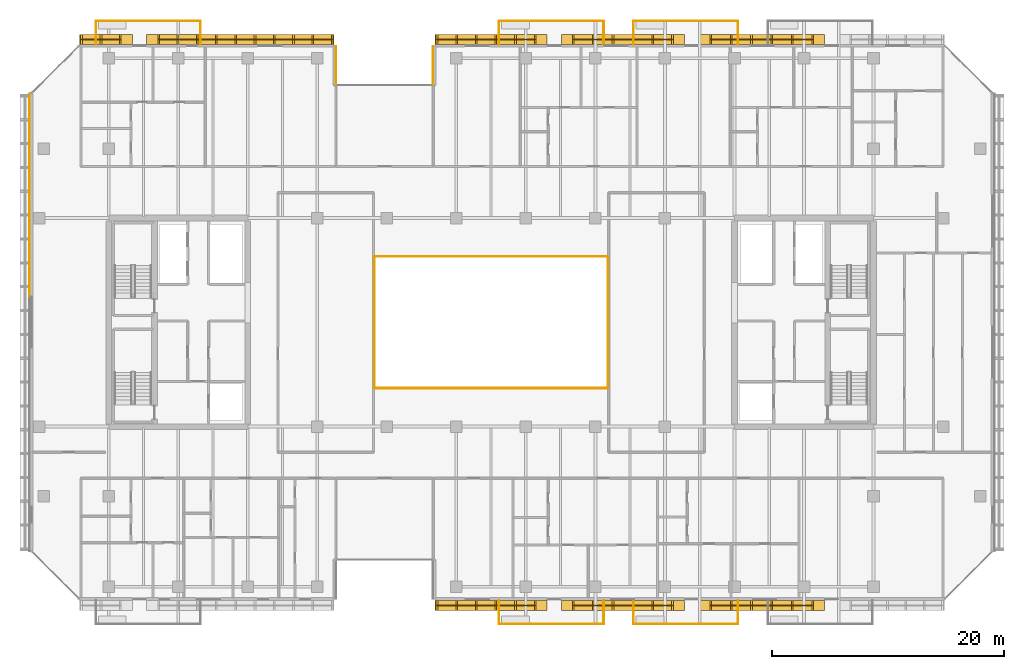
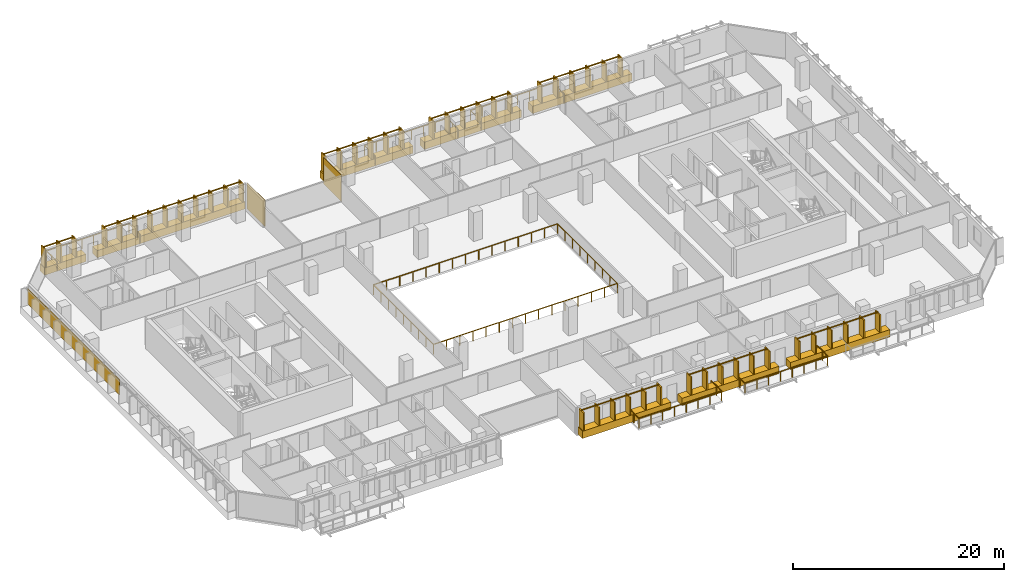
# One storey, part 33 of 35: 15 railings, 11 coverings.
"""IFC4 building model written with IfcOpenShell, lengths in metres."""

from ifc_helpers import new_model, si_unit, direction, frame, origin, origin_2d, place, context, subcontext, project, spatial, rectangle, extrude, material, layer, layer_set, type_object, element, save


model = new_model("IFC4")

# Units and contexts
model_context = context("Model", 3, precision=1e-05, world=origin(), true_north=direction((0.0, 1.0)))
body_context = subcontext(model_context, "Body", "Model", "MODEL_VIEW")
ifc_project = project(units=[si_unit("LENGTHUNIT", "METRE"), si_unit("AREAUNIT", "SQUARE_METRE"), si_unit("VOLUMEUNIT", "CUBIC_METRE"), si_unit("PLANEANGLEUNIT", "RADIAN"), si_unit("MASSUNIT", "GRAM", prefix="KILO")], contexts=[model_context])

# Site, building, storey
site_placement = place(None, origin())
site = spatial("IfcSite", under=ifc_project, at=site_placement, CompositionType="ELEMENT")
building_placement = place(site_placement, origin())
building = spatial("IfcBuilding", under=site, at=building_placement, Name="Tanjung Sevakor Pilgrim Tower", CompositionType="ELEMENT")
storey_placement = place(building_placement, frame((0.0, 0.0, 92.070068359375)))
storey = spatial("IfcBuildingStorey", under=building, at=storey_placement, Name="L25", CompositionType="ELEMENT", Elevation=92.070068359375)

# Coverings
ifc_material_1 = material(Name="Reconstructed Limestone Cladding", Category="masonry")
ifc_layer = layer(ifc_material_1, 0.044921875)
ifc_layer_set = layer_set([ifc_layer], Name="COV-CLAD-LIMESTONE")
covering_type = type_object("IfcCoveringType", Name="COV-CLAD-LIMESTONE", PredefinedType="CLADDING", material=ifc_layer_set)
covering_1_placement = place(storey_placement, frame((57.00244140625, 9.169921875, 0.009765625), z_axis=(0.0, 0.0, 1.0), x_axis=(1.0, 0.0, 0.0)))
element("IfcCovering", 1, at=covering_1_placement, inside=storey, type_object=covering_type, Name="L25 Warm Limestone Sill Spandrel EW-L25-MAIN-5-1", PredefinedType="CLADDING", context=body_context, shape_type="SweptSolid", body=[
    extrude(rectangle(XDim=9.675048828125, YDim=0.860107421875, at=origin_2d()), origin(), (0.0, 0.0, 1.0), 0.840087890625),
])
covering_2_placement = place(storey_placement, frame((68.375, 9.169921875, 0.009765625), z_axis=(0.0, 0.0, 1.0), x_axis=(1.0, 0.0, 0.0)))
element("IfcCovering", 2, at=covering_2_placement, inside=storey, type_object=covering_type, Name="L25 Warm Limestone Sill Spandrel EW-L25-MAIN-5-2", PredefinedType="CLADDING", context=body_context, shape_type="SweptSolid", body=[
    extrude(rectangle(XDim=10.6298828125, YDim=0.860107421875, at=origin_2d()), origin(), (0.0, 0.0, 1.0), 0.840087890625),
])
for number, where, z_axis, x_axis, name in (
    (3, (80.35009765625, 9.169921875, 0.009765625), (0.0, 0.0, 1.0), (1.0, 0.0, 0.0), "L25 Warm Limestone Sill Spandrel EW-L25-MAIN-5-3"),
    (4, (80.35009765625, 58.030029296875, 0.009765625), (0.0, 0.0, 1.0), (-1.0, 0.0, 0.0), "L25 Warm Limestone Sill Spandrel EW-L25-MAIN-9-2"),
):
    element("IfcCovering", number, at=place(storey_placement, frame(where, z_axis=z_axis, x_axis=x_axis)), inside=storey, type_object=covering_type, Name=name, PredefinedType="CLADDING", context=body_context, shape_type="SweptSolid", body=[
        extrude(rectangle(XDim=10.8798828125, YDim=0.860107421875, at=origin_2d()), origin(), (0.0, 0.0, 1.0), 0.840087890625),
    ])
covering_3_placement = place(storey_placement, frame((68.375, 58.030029296875, 0.009765625), z_axis=(0.0, 0.0, 1.0), x_axis=(-1.0, 0.0, 0.0)))
element("IfcCovering", 5, at=covering_3_placement, inside=storey, type_object=covering_type, Name="L25 Warm Limestone Sill Spandrel EW-L25-MAIN-9-3", PredefinedType="CLADDING", context=body_context, shape_type="SweptSolid", body=[
    extrude(rectangle(XDim=10.6298828125, YDim=0.860107421875, at=origin_2d()), origin(), (0.0, 0.0, 1.0), 0.840087890625),
])
covering_4_placement = place(storey_placement, frame((57.00244140625, 58.030029296875, 0.009765625), z_axis=(0.0, 0.0, 1.0), x_axis=(-1.0, 0.0, 0.0)))
element("IfcCovering", 6, at=covering_4_placement, inside=storey, type_object=covering_type, Name="L25 Warm Limestone Sill Spandrel EW-L25-MAIN-9-4", PredefinedType="CLADDING", context=body_context, shape_type="SweptSolid", body=[
    extrude(rectangle(XDim=9.675048828125, YDim=0.860107421875, at=origin_2d()), origin(), (0.0, 0.0, 1.0), 0.840087890625),
])
for number, where, z_axis, x_axis, name in (
    (7, (51.9775390625, 55.77490234375, 0.02001953125), (0.0, 0.0, 1.0), (0.0, -1.0, 0.0), "L25 Warm Limestone Wall Cladding EW-L25-MAIN-10"),
    (8, (43.62255859375, 55.77490234375, 0.02001953125), (0.0, 0.0, 1.0), (0.0, 1.0, 0.0), "L25 Warm Limestone Wall Cladding EW-L25-MAIN-12"),
):
    element("IfcCovering", number, at=place(storey_placement, frame(where, z_axis=z_axis, x_axis=x_axis)), inside=storey, type_object=covering_type, Name=name, PredefinedType="CLADDING", context=body_context, shape_type="SweptSolid", body=[
        extrude(rectangle(XDim=3.360107421875, YDim=0.044921875, at=origin_2d()), origin(), (0.0, 0.0, 1.0), 3.0400390625),
    ])
covering_5_placement = place(storey_placement, frame((35.347412109375, 58.030029296875, 0.009765625), z_axis=(0.0, 0.0, 1.0), x_axis=(-1.0, 0.0, 0.0)))
element("IfcCovering", 9, at=covering_5_placement, inside=storey, type_object=covering_type, Name="L25 Warm Limestone Sill Spandrel EW-L25-MAIN-13-1", PredefinedType="CLADDING", context=body_context, shape_type="SweptSolid", body=[
    extrude(rectangle(XDim=16.175048828125, YDim=0.860107421875, at=origin_2d()), origin(), (0.0, 0.0, 1.0), 0.840087890625),
])
covering_6_placement = place(storey_placement, frame((23.765869140625, 58.030029296875, 0.009765625), z_axis=(0.0, 0.0, 1.0), x_axis=(-1.0, 0.0, 0.0)))
element("IfcCovering", 10, at=covering_6_placement, inside=storey, type_object=covering_type, Name="L25 Warm Limestone Sill Spandrel EW-L25-MAIN-13-2", PredefinedType="CLADDING", context=body_context, shape_type="SweptSolid", body=[
    extrude(rectangle(XDim=4.548095703125, YDim=0.860107421875, at=origin_2d()), origin(), (0.0, 0.0, 1.0), 0.840087890625),
])
covering_7_placement = place(storey_placement, frame((17.177490234375, 44.5791015625, 0.849853515625), z_axis=(0.0, 0.0, 1.0), x_axis=(0.0, -1.0, 0.0)))
element("IfcCovering", 11, at=covering_7_placement, inside=storey, type_object=covering_type, Name="L25 Warm Limestone Pier Panel EW-L25-MAIN-15-1", PredefinedType="CLADDING", context=body_context, shape_type="SweptSolid", body=[
    extrude(rectangle(XDim=17.458251953125, YDim=0.044921875, at=origin_2d()), origin(), (0.0, 0.0, 1.0), 1.81005859375),
])

# Railings
ifc_material_2 = material(Name="Laminated Glass and Aluminium", Category="aluminium")
railing_type_1 = type_object("IfcRailingType", Name="RL-BAL-BALUST", PredefinedType="BALUSTRADE", material=ifc_material_2)
railing_1_placement = place(storey_placement, frame((46.919921875, 27.919921875, 0.0)))
element("IfcRailing", 12, at=railing_1_placement, inside=storey, type_object=railing_type_1, Name="L25 Void Opening Balustrade 1A", PredefinedType="BALUSTRADE", context=body_context, shape_type="SweptSolid", body=[
    extrude(rectangle(XDim=0.0479, YDim=0.0479), frame((0.0, 0.0, 1.1259765625), z_axis=(1.0, 0.0, 0.0), x_axis=(0.0, 1.0, 0.0)), (0.0, 0.0, 1.0), 20.16015625),
    extrude(rectangle(XDim=0.0479, YDim=0.0479), frame((20.16015625, 0.0, 1.1259765625), z_axis=(0.0, 1.0, 0.0), x_axis=(-1.0, 0.0, 0.0)), (0.0, 0.0, 1.0), 11.360107421875),
    extrude(rectangle(XDim=0.042, YDim=0.042), origin(), (0.0, 0.0, 1.0), 1.101806640625),
    extrude(rectangle(XDim=0.042, YDim=0.042), frame((1.43994140625, 0.0, 0.0)), (0.0, 0.0, 1.0), 1.101806640625),
    extrude(rectangle(XDim=0.042, YDim=0.042), frame((2.880126953125, 0.0, 0.0)), (0.0, 0.0, 1.0), 1.101806640625),
    extrude(rectangle(XDim=0.042, YDim=0.042), frame((4.320068359375, 0.0, 0.0)), (0.0, 0.0, 1.0), 1.101806640625),
    extrude(rectangle(XDim=0.042, YDim=0.042), frame((5.760009765625, 0.0, 0.0)), (0.0, 0.0, 1.0), 1.101806640625),
    extrude(rectangle(XDim=0.042, YDim=0.042), frame((7.199951171875, 0.0, 0.0)), (0.0, 0.0, 1.0), 1.101806640625),
    extrude(rectangle(XDim=0.042, YDim=0.042), frame((8.64013671875, 0.0, 0.0)), (0.0, 0.0, 1.0), 1.101806640625),
    extrude(rectangle(XDim=0.042, YDim=0.042), frame((10.080078125, 0.0, 0.0)), (0.0, 0.0, 1.0), 1.101806640625),
    extrude(rectangle(XDim=0.042, YDim=0.042), frame((11.52001953125, 0.0, 0.0)), (0.0, 0.0, 1.0), 1.101806640625),
    extrude(rectangle(XDim=0.042, YDim=0.042), frame((12.960205078125, 0.0, 0.0)), (0.0, 0.0, 1.0), 1.101806640625),
    extrude(rectangle(XDim=0.042, YDim=0.042), frame((14.400146484375, 0.0, 0.0)), (0.0, 0.0, 1.0), 1.101806640625),
    extrude(rectangle(XDim=0.042, YDim=0.042), frame((15.840087890625, 0.0, 0.0)), (0.0, 0.0, 1.0), 1.101806640625),
    extrude(rectangle(XDim=0.042, YDim=0.042), frame((17.280029296875, 0.0, 0.0)), (0.0, 0.0, 1.0), 1.101806640625),
    extrude(rectangle(XDim=0.042, YDim=0.042), frame((18.72021484375, 0.0, 0.0)), (0.0, 0.0, 1.0), 1.101806640625),
    extrude(rectangle(XDim=0.042, YDim=0.042), frame((20.16015625, 0.0, 0.0)), (0.0, 0.0, 1.0), 1.101806640625),
    extrude(rectangle(XDim=0.042, YDim=0.042), frame((20.16015625, 1.419921875, 0.0)), (0.0, 0.0, 1.0), 1.101806640625),
    extrude(rectangle(XDim=0.042, YDim=0.042), frame((20.16015625, 2.840087890625, 0.0)), (0.0, 0.0, 1.0), 1.101806640625),
    extrude(rectangle(XDim=0.042, YDim=0.042), frame((20.16015625, 4.260009765625, 0.0)), (0.0, 0.0, 1.0), 1.101806640625),
    extrude(rectangle(XDim=0.042, YDim=0.042), frame((20.16015625, 5.68017578125, 0.0)), (0.0, 0.0, 1.0), 1.101806640625),
    extrude(rectangle(XDim=0.042, YDim=0.042), frame((20.16015625, 7.10009765625, 0.0)), (0.0, 0.0, 1.0), 1.101806640625),
    extrude(rectangle(XDim=0.042, YDim=0.042), frame((20.16015625, 8.52001953125, 0.0)), (0.0, 0.0, 1.0), 1.101806640625),
    extrude(rectangle(XDim=0.042, YDim=0.042), frame((20.16015625, 9.940185546875, 0.0)), (0.0, 0.0, 1.0), 1.101806640625),
    extrude(rectangle(XDim=0.042, YDim=0.042), frame((20.16015625, 11.360107421875, 0.0)), (0.0, 0.0, 1.0), 1.101806640625),
])
railing_2_placement = place(storey_placement, frame((67.080078125, 39.280029296875, 0.0)))
element("IfcRailing", 13, at=railing_2_placement, inside=storey, type_object=railing_type_1, Name="L25 Void Opening Balustrade 1B", PredefinedType="BALUSTRADE", context=body_context, shape_type="SweptSolid", body=[
    extrude(rectangle(XDim=0.0479, YDim=0.0479), frame((0.0, 0.0, 1.1259765625), z_axis=(-1.0, 0.0, 0.0), x_axis=(0.0, -1.0, 0.0)), (0.0, 0.0, 1.0), 20.16015625),
    extrude(rectangle(XDim=0.0479, YDim=0.0479), frame((-20.16015625, 0.0, 1.1259765625), z_axis=(0.0, -1.0, 0.0), x_axis=(1.0, 0.0, 0.0)), (0.0, 0.0, 1.0), 11.360107421875),
    extrude(rectangle(XDim=0.042, YDim=0.042), origin(), (0.0, 0.0, 1.0), 1.101806640625),
    extrude(rectangle(XDim=0.042, YDim=0.042), frame((-1.43994140625, 0.0, 0.0)), (0.0, 0.0, 1.0), 1.101806640625),
    extrude(rectangle(XDim=0.042, YDim=0.042), frame((-2.880126953125, 0.0, 0.0)), (0.0, 0.0, 1.0), 1.101806640625),
    extrude(rectangle(XDim=0.042, YDim=0.042), frame((-4.320068359375, 0.0, 0.0)), (0.0, 0.0, 1.0), 1.101806640625),
    extrude(rectangle(XDim=0.042, YDim=0.042), frame((-5.760009765625, 0.0, 0.0)), (0.0, 0.0, 1.0), 1.101806640625),
    extrude(rectangle(XDim=0.042, YDim=0.042), frame((-7.199951171875, 0.0, 0.0)), (0.0, 0.0, 1.0), 1.101806640625),
    extrude(rectangle(XDim=0.042, YDim=0.042), frame((-8.64013671875, 0.0, 0.0)), (0.0, 0.0, 1.0), 1.101806640625),
    extrude(rectangle(XDim=0.042, YDim=0.042), frame((-10.080078125, 0.0, 0.0)), (0.0, 0.0, 1.0), 1.101806640625),
    extrude(rectangle(XDim=0.042, YDim=0.042), frame((-11.52001953125, 0.0, 0.0)), (0.0, 0.0, 1.0), 1.101806640625),
    extrude(rectangle(XDim=0.042, YDim=0.042), frame((-12.960205078125, 0.0, 0.0)), (0.0, 0.0, 1.0), 1.101806640625),
    extrude(rectangle(XDim=0.042, YDim=0.042), frame((-14.400146484375, 0.0, 0.0)), (0.0, 0.0, 1.0), 1.101806640625),
    extrude(rectangle(XDim=0.042, YDim=0.042), frame((-15.840087890625, 0.0, 0.0)), (0.0, 0.0, 1.0), 1.101806640625),
    extrude(rectangle(XDim=0.042, YDim=0.042), frame((-17.280029296875, 0.0, 0.0)), (0.0, 0.0, 1.0), 1.101806640625),
    extrude(rectangle(XDim=0.042, YDim=0.042), frame((-18.72021484375, 0.0, 0.0)), (0.0, 0.0, 1.0), 1.101806640625),
    extrude(rectangle(XDim=0.042, YDim=0.042), frame((-20.16015625, 0.0, 0.0)), (0.0, 0.0, 1.0), 1.101806640625),
    extrude(rectangle(XDim=0.042, YDim=0.042), frame((-20.16015625, -1.419921875, 0.0)), (0.0, 0.0, 1.0), 1.101806640625),
    extrude(rectangle(XDim=0.042, YDim=0.042), frame((-20.16015625, -2.840087890625, 0.0)), (0.0, 0.0, 1.0), 1.101806640625),
    extrude(rectangle(XDim=0.042, YDim=0.042), frame((-20.16015625, -4.260009765625, 0.0)), (0.0, 0.0, 1.0), 1.101806640625),
    extrude(rectangle(XDim=0.042, YDim=0.042), frame((-20.16015625, -5.68017578125, 0.0)), (0.0, 0.0, 1.0), 1.101806640625),
    extrude(rectangle(XDim=0.042, YDim=0.042), frame((-20.16015625, -7.10009765625, 0.0)), (0.0, 0.0, 1.0), 1.101806640625),
    extrude(rectangle(XDim=0.042, YDim=0.042), frame((-20.16015625, -8.52001953125, 0.0)), (0.0, 0.0, 1.0), 1.101806640625),
    extrude(rectangle(XDim=0.042, YDim=0.042), frame((-20.16015625, -9.940185546875, 0.0)), (0.0, 0.0, 1.0), 1.101806640625),
    extrude(rectangle(XDim=0.042, YDim=0.042), frame((-20.16015625, -11.360107421875, 0.0)), (0.0, 0.0, 1.0), 1.101806640625),
])
railing_3_placement = place(storey_placement, frame((22.8798828125, 57.60009765625, 0.0)))
element("IfcRailing", 14, at=railing_3_placement, inside=storey, type_object=railing_type_1, Name="L25 Loggia Balustrade MAIN-N1", PredefinedType="BALUSTRADE", context=body_context, shape_type="SweptSolid", body=[
    extrude(rectangle(XDim=0.0479, YDim=0.0479), frame((0.0, 0.0, 1.1259765625), z_axis=(0.0, 1.0, 0.0), x_axis=(-1.0, 0.0, 0.0)), (0.0, 0.0, 1.0), 2.02001953125),
    extrude(rectangle(XDim=0.0479, YDim=0.0479), frame((0.0, 2.02001953125, 1.1259765625), z_axis=(1.0, 0.0, 0.0), x_axis=(0.0, 1.0, 0.0)), (0.0, 0.0, 1.0), 9.0400390625),
    extrude(rectangle(XDim=0.0479, YDim=0.0479), frame((9.0400390625, 2.02001953125, 1.1259765625), z_axis=(0.0, -1.0, 0.0), x_axis=(1.0, 0.0, 0.0)), (0.0, 0.0, 1.0), 2.02001953125),
    extrude(rectangle(XDim=0.042, YDim=0.042), origin(), (0.0, 0.0, 1.0), 1.101806640625),
    extrude(rectangle(XDim=0.042, YDim=0.042), frame((0.0, 1.010009765625, 0.0)), (0.0, 0.0, 1.0), 1.101806640625),
    extrude(rectangle(XDim=0.042, YDim=0.042), frame((0.0, 2.02001953125, 0.0)), (0.0, 0.0, 1.0), 1.101806640625),
    extrude(rectangle(XDim=0.042, YDim=0.042), frame((1.29150390625, 2.02001953125, 0.0)), (0.0, 0.0, 1.0), 1.101806640625),
    extrude(rectangle(XDim=0.042, YDim=0.042), frame((2.582763671875, 2.02001953125, 0.0)), (0.0, 0.0, 1.0), 1.101806640625),
    extrude(rectangle(XDim=0.042, YDim=0.042), frame((3.874267578125, 2.02001953125, 0.0)), (0.0, 0.0, 1.0), 1.101806640625),
    extrude(rectangle(XDim=0.042, YDim=0.042), frame((5.165771484375, 2.02001953125, 0.0)), (0.0, 0.0, 1.0), 1.101806640625),
    extrude(rectangle(XDim=0.042, YDim=0.042), frame((6.457275390625, 2.02001953125, 0.0)), (0.0, 0.0, 1.0), 1.101806640625),
    extrude(rectangle(XDim=0.042, YDim=0.042), frame((7.74853515625, 2.02001953125, 0.0)), (0.0, 0.0, 1.0), 1.101806640625),
    extrude(rectangle(XDim=0.042, YDim=0.042), frame((9.0400390625, 2.02001953125, 0.0)), (0.0, 0.0, 1.0), 1.101806640625),
    extrude(rectangle(XDim=0.042, YDim=0.042), frame((9.0400390625, 1.010009765625, 0.0)), (0.0, 0.0, 1.0), 1.101806640625),
    extrude(rectangle(XDim=0.042, YDim=0.042), frame((9.0400390625, 0.0, 0.0)), (0.0, 0.0, 1.0), 1.101806640625),
])
railing_4_placement = place(storey_placement, frame((57.679931640625, 9.60009765625, 0.0)))
element("IfcRailing", 15, at=railing_4_placement, inside=storey, type_object=railing_type_1, Name="L25 Loggia Balustrade MAIN-S2", PredefinedType="BALUSTRADE", context=body_context, shape_type="SweptSolid", body=[
    extrude(rectangle(XDim=0.0479, YDim=0.0479), frame((0.0, 0.0, 1.1259765625), z_axis=(0.0, -1.0, 0.0), x_axis=(1.0, 0.0, 0.0)), (0.0, 0.0, 1.0), 2.02001953125),
    extrude(rectangle(XDim=0.0479, YDim=0.0479), frame((0.0, -2.02001953125, 1.1259765625), z_axis=(1.0, 0.0, 0.0), x_axis=(0.0, 1.0, 0.0)), (0.0, 0.0, 1.0), 9.0400390625),
    extrude(rectangle(XDim=0.0479, YDim=0.0479), frame((9.0400390625, -2.02001953125, 1.1259765625), z_axis=(0.0, 1.0, 0.0), x_axis=(-1.0, 0.0, 0.0)), (0.0, 0.0, 1.0), 2.02001953125),
    extrude(rectangle(XDim=0.042, YDim=0.042), origin(), (0.0, 0.0, 1.0), 1.101806640625),
    extrude(rectangle(XDim=0.042, YDim=0.042), frame((0.0, -1.010009765625, 0.0)), (0.0, 0.0, 1.0), 1.101806640625),
    extrude(rectangle(XDim=0.042, YDim=0.042), frame((0.0, -2.02001953125, 0.0)), (0.0, 0.0, 1.0), 1.101806640625),
    extrude(rectangle(XDim=0.042, YDim=0.042), frame((1.29150390625, -2.02001953125, 0.0)), (0.0, 0.0, 1.0), 1.101806640625),
    extrude(rectangle(XDim=0.042, YDim=0.042), frame((2.582763671875, -2.02001953125, 0.0)), (0.0, 0.0, 1.0), 1.101806640625),
    extrude(rectangle(XDim=0.042, YDim=0.042), frame((3.874267578125, -2.02001953125, 0.0)), (0.0, 0.0, 1.0), 1.101806640625),
    extrude(rectangle(XDim=0.042, YDim=0.042), frame((5.165771484375, -2.02001953125, 0.0)), (0.0, 0.0, 1.0), 1.101806640625),
    extrude(rectangle(XDim=0.042, YDim=0.042), frame((6.457275390625, -2.02001953125, 0.0)), (0.0, 0.0, 1.0), 1.101806640625),
    extrude(rectangle(XDim=0.042, YDim=0.042), frame((7.74853515625, -2.02001953125, 0.0)), (0.0, 0.0, 1.0), 1.101806640625),
    extrude(rectangle(XDim=0.042, YDim=0.042), frame((9.0400390625, -2.02001953125, 0.0)), (0.0, 0.0, 1.0), 1.101806640625),
    extrude(rectangle(XDim=0.042, YDim=0.042), frame((9.0400390625, -1.010009765625, 0.0)), (0.0, 0.0, 1.0), 1.101806640625),
    extrude(rectangle(XDim=0.042, YDim=0.042), frame((9.0400390625, 0.0, 0.0)), (0.0, 0.0, 1.0), 1.101806640625),
])
railing_5_placement = place(storey_placement, frame((57.679931640625, 57.60009765625, 0.0)))
element("IfcRailing", 16, at=railing_5_placement, inside=storey, type_object=railing_type_1, Name="L25 Loggia Balustrade MAIN-N2", PredefinedType="BALUSTRADE", context=body_context, shape_type="SweptSolid", body=[
    extrude(rectangle(XDim=0.0479, YDim=0.0479), frame((0.0, 0.0, 1.1259765625), z_axis=(0.0, 1.0, 0.0), x_axis=(-1.0, 0.0, 0.0)), (0.0, 0.0, 1.0), 2.02001953125),
    extrude(rectangle(XDim=0.0479, YDim=0.0479), frame((0.0, 2.02001953125, 1.1259765625), z_axis=(1.0, 0.0, 0.0), x_axis=(0.0, 1.0, 0.0)), (0.0, 0.0, 1.0), 9.0400390625),
    extrude(rectangle(XDim=0.0479, YDim=0.0479), frame((9.0400390625, 2.02001953125, 1.1259765625), z_axis=(0.0, -1.0, 0.0), x_axis=(1.0, 0.0, 0.0)), (0.0, 0.0, 1.0), 2.02001953125),
    extrude(rectangle(XDim=0.042, YDim=0.042), origin(), (0.0, 0.0, 1.0), 1.101806640625),
    extrude(rectangle(XDim=0.042, YDim=0.042), frame((0.0, 1.010009765625, 0.0)), (0.0, 0.0, 1.0), 1.101806640625),
    extrude(rectangle(XDim=0.042, YDim=0.042), frame((0.0, 2.02001953125, 0.0)), (0.0, 0.0, 1.0), 1.101806640625),
    extrude(rectangle(XDim=0.042, YDim=0.042), frame((1.29150390625, 2.02001953125, 0.0)), (0.0, 0.0, 1.0), 1.101806640625),
    extrude(rectangle(XDim=0.042, YDim=0.042), frame((2.582763671875, 2.02001953125, 0.0)), (0.0, 0.0, 1.0), 1.101806640625),
    extrude(rectangle(XDim=0.042, YDim=0.042), frame((3.874267578125, 2.02001953125, 0.0)), (0.0, 0.0, 1.0), 1.101806640625),
    extrude(rectangle(XDim=0.042, YDim=0.042), frame((5.165771484375, 2.02001953125, 0.0)), (0.0, 0.0, 1.0), 1.101806640625),
    extrude(rectangle(XDim=0.042, YDim=0.042), frame((6.457275390625, 2.02001953125, 0.0)), (0.0, 0.0, 1.0), 1.101806640625),
    extrude(rectangle(XDim=0.042, YDim=0.042), frame((7.74853515625, 2.02001953125, 0.0)), (0.0, 0.0, 1.0), 1.101806640625),
    extrude(rectangle(XDim=0.042, YDim=0.042), frame((9.0400390625, 2.02001953125, 0.0)), (0.0, 0.0, 1.0), 1.101806640625),
    extrude(rectangle(XDim=0.042, YDim=0.042), frame((9.0400390625, 1.010009765625, 0.0)), (0.0, 0.0, 1.0), 1.101806640625),
    extrude(rectangle(XDim=0.042, YDim=0.042), frame((9.0400390625, 0.0, 0.0)), (0.0, 0.0, 1.0), 1.101806640625),
])
railing_6_placement = place(storey_placement, frame((69.280029296875, 9.60009765625, 0.0)))
element("IfcRailing", 17, at=railing_6_placement, inside=storey, type_object=railing_type_1, Name="L25 Loggia Balustrade MAIN-S3", PredefinedType="BALUSTRADE", context=body_context, shape_type="SweptSolid", body=[
    extrude(rectangle(XDim=0.0479, YDim=0.0479), frame((0.0, 0.0, 1.1259765625), z_axis=(0.0, -1.0, 0.0), x_axis=(1.0, 0.0, 0.0)), (0.0, 0.0, 1.0), 2.02001953125),
    extrude(rectangle(XDim=0.0479, YDim=0.0479), frame((0.0, -2.02001953125, 1.1259765625), z_axis=(1.0, 0.0, 0.0), x_axis=(0.0, 1.0, 0.0)), (0.0, 0.0, 1.0), 9.0400390625),
    extrude(rectangle(XDim=0.0479, YDim=0.0479), frame((9.0400390625, -2.02001953125, 1.1259765625), z_axis=(0.0, 1.0, 0.0), x_axis=(-1.0, 0.0, 0.0)), (0.0, 0.0, 1.0), 2.02001953125),
    extrude(rectangle(XDim=0.042, YDim=0.042), origin(), (0.0, 0.0, 1.0), 1.101806640625),
    extrude(rectangle(XDim=0.042, YDim=0.042), frame((0.0, -1.010009765625, 0.0)), (0.0, 0.0, 1.0), 1.101806640625),
    extrude(rectangle(XDim=0.042, YDim=0.042), frame((0.0, -2.02001953125, 0.0)), (0.0, 0.0, 1.0), 1.101806640625),
    extrude(rectangle(XDim=0.042, YDim=0.042), frame((1.29150390625, -2.02001953125, 0.0)), (0.0, 0.0, 1.0), 1.101806640625),
    extrude(rectangle(XDim=0.042, YDim=0.042), frame((2.582763671875, -2.02001953125, 0.0)), (0.0, 0.0, 1.0), 1.101806640625),
    extrude(rectangle(XDim=0.042, YDim=0.042), frame((3.874267578125, -2.02001953125, 0.0)), (0.0, 0.0, 1.0), 1.101806640625),
    extrude(rectangle(XDim=0.042, YDim=0.042), frame((5.165771484375, -2.02001953125, 0.0)), (0.0, 0.0, 1.0), 1.101806640625),
    extrude(rectangle(XDim=0.042, YDim=0.042), frame((6.457275390625, -2.02001953125, 0.0)), (0.0, 0.0, 1.0), 1.101806640625),
    extrude(rectangle(XDim=0.042, YDim=0.042), frame((7.74853515625, -2.02001953125, 0.0)), (0.0, 0.0, 1.0), 1.101806640625),
    extrude(rectangle(XDim=0.042, YDim=0.042), frame((9.0400390625, -2.02001953125, 0.0)), (0.0, 0.0, 1.0), 1.101806640625),
    extrude(rectangle(XDim=0.042, YDim=0.042), frame((9.0400390625, -1.010009765625, 0.0)), (0.0, 0.0, 1.0), 1.101806640625),
    extrude(rectangle(XDim=0.042, YDim=0.042), frame((9.0400390625, 0.0, 0.0)), (0.0, 0.0, 1.0), 1.101806640625),
])
railing_7_placement = place(storey_placement, frame((69.280029296875, 57.60009765625, 0.0)))
element("IfcRailing", 18, at=railing_7_placement, inside=storey, type_object=railing_type_1, Name="L25 Loggia Balustrade MAIN-N3", PredefinedType="BALUSTRADE", context=body_context, shape_type="SweptSolid", body=[
    extrude(rectangle(XDim=0.0479, YDim=0.0479), frame((0.0, 0.0, 1.1259765625), z_axis=(0.0, 1.0, 0.0), x_axis=(-1.0, 0.0, 0.0)), (0.0, 0.0, 1.0), 2.02001953125),
    extrude(rectangle(XDim=0.0479, YDim=0.0479), frame((0.0, 2.02001953125, 1.1259765625), z_axis=(1.0, 0.0, 0.0), x_axis=(0.0, 1.0, 0.0)), (0.0, 0.0, 1.0), 9.0400390625),
    extrude(rectangle(XDim=0.0479, YDim=0.0479), frame((9.0400390625, 2.02001953125, 1.1259765625), z_axis=(0.0, -1.0, 0.0), x_axis=(1.0, 0.0, 0.0)), (0.0, 0.0, 1.0), 2.02001953125),
    extrude(rectangle(XDim=0.042, YDim=0.042), origin(), (0.0, 0.0, 1.0), 1.101806640625),
    extrude(rectangle(XDim=0.042, YDim=0.042), frame((0.0, 1.010009765625, 0.0)), (0.0, 0.0, 1.0), 1.101806640625),
    extrude(rectangle(XDim=0.042, YDim=0.042), frame((0.0, 2.02001953125, 0.0)), (0.0, 0.0, 1.0), 1.101806640625),
    extrude(rectangle(XDim=0.042, YDim=0.042), frame((1.29150390625, 2.02001953125, 0.0)), (0.0, 0.0, 1.0), 1.101806640625),
    extrude(rectangle(XDim=0.042, YDim=0.042), frame((2.582763671875, 2.02001953125, 0.0)), (0.0, 0.0, 1.0), 1.101806640625),
    extrude(rectangle(XDim=0.042, YDim=0.042), frame((3.874267578125, 2.02001953125, 0.0)), (0.0, 0.0, 1.0), 1.101806640625),
    extrude(rectangle(XDim=0.042, YDim=0.042), frame((5.165771484375, 2.02001953125, 0.0)), (0.0, 0.0, 1.0), 1.101806640625),
    extrude(rectangle(XDim=0.042, YDim=0.042), frame((6.457275390625, 2.02001953125, 0.0)), (0.0, 0.0, 1.0), 1.101806640625),
    extrude(rectangle(XDim=0.042, YDim=0.042), frame((7.74853515625, 2.02001953125, 0.0)), (0.0, 0.0, 1.0), 1.101806640625),
    extrude(rectangle(XDim=0.042, YDim=0.042), frame((9.0400390625, 2.02001953125, 0.0)), (0.0, 0.0, 1.0), 1.101806640625),
    extrude(rectangle(XDim=0.042, YDim=0.042), frame((9.0400390625, 1.010009765625, 0.0)), (0.0, 0.0, 1.0), 1.101806640625),
    extrude(rectangle(XDim=0.042, YDim=0.042), frame((9.0400390625, 0.0, 0.0)), (0.0, 0.0, 1.0), 1.101806640625),
])
ifc_material_3 = material(Name="Anodised Bronze Aluminium 6063-T6", Category="aluminium")
railing_type_2 = type_object("IfcRailingType", Name="RL-FIN-SCREEN", PredefinedType="BALUSTRADE", material=ifc_material_3)
railing_8_placement = place(storey_placement, frame((52.324951171875, 9.175048828125, 0.83984375)))
element("IfcRailing", 19, at=railing_8_placement, inside=storey, type_object=railing_type_2, Name="L25 Vertical Bronze-Gold Solar Fin Screen FNSCR-EW-L25-MAIN-5-1", PredefinedType="BALUSTRADE", context=body_context, shape_type="SweptSolid", body=[
    extrude(rectangle(XDim=0.105, YDim=0.105), frame((0.0, 0.0, 2.157470703125), z_axis=(1.0, 0.0, 0.0), x_axis=(0.0, 1.0, 0.0)), (0.0, 0.0, 1.0), 8.47509765625),
    extrude(rectangle(XDim=0.14, YDim=0.85), origin(), (0.0, 0.0, 1.0), 2.10498046875),
    extrude(rectangle(XDim=0.14, YDim=0.85), frame((1.695068359375, 0.0, 0.0)), (0.0, 0.0, 1.0), 2.10498046875),
    extrude(rectangle(XDim=0.14, YDim=0.85), frame((3.39013671875, 0.0, 0.0)), (0.0, 0.0, 1.0), 2.10498046875),
    extrude(rectangle(XDim=0.14, YDim=0.85), frame((5.0849609375, 0.0, 0.0)), (0.0, 0.0, 1.0), 2.10498046875),
    extrude(rectangle(XDim=0.14, YDim=0.85), frame((6.780029296875, 0.0, 0.0)), (0.0, 0.0, 1.0), 2.10498046875),
    extrude(rectangle(XDim=0.14, YDim=0.85), frame((8.47509765625, 0.0, 0.0)), (0.0, 0.0, 1.0), 2.10498046875),
])
railing_9_placement = place(storey_placement, frame((64.10009765625, 9.175048828125, 0.83984375)))
element("IfcRailing", 20, at=railing_9_placement, inside=storey, type_object=railing_type_2, Name="L25 Vertical Bronze-Gold Solar Fin Screen FNSCR-EW-L25-MAIN-5-2", PredefinedType="BALUSTRADE", context=body_context, shape_type="SweptSolid", body=[
    extrude(rectangle(XDim=0.105, YDim=0.105), frame((0.0, 0.0, 2.157470703125), z_axis=(1.0, 0.0, 0.0), x_axis=(0.0, 1.0, 0.0)), (0.0, 0.0, 1.0), 8.5498046875),
    extrude(rectangle(XDim=0.14, YDim=0.85), origin(), (0.0, 0.0, 1.0), 2.10498046875),
    extrude(rectangle(XDim=0.14, YDim=0.85), frame((1.7099609375, 0.0, 0.0)), (0.0, 0.0, 1.0), 2.10498046875),
    extrude(rectangle(XDim=0.14, YDim=0.85), frame((3.419921875, 0.0, 0.0)), (0.0, 0.0, 1.0), 2.10498046875),
    extrude(rectangle(XDim=0.14, YDim=0.85), frame((5.1298828125, 0.0, 0.0)), (0.0, 0.0, 1.0), 2.10498046875),
    extrude(rectangle(XDim=0.14, YDim=0.85), frame((6.83984375, 0.0, 0.0)), (0.0, 0.0, 1.0), 2.10498046875),
    extrude(rectangle(XDim=0.14, YDim=0.85), frame((8.5498046875, 0.0, 0.0)), (0.0, 0.0, 1.0), 2.10498046875),
])
railing_10_placement = place(storey_placement, frame((75.949951171875, 9.175048828125, 0.83984375)))
element("IfcRailing", 21, at=railing_10_placement, inside=storey, type_object=railing_type_2, Name="L25 Vertical Bronze-Gold Solar Fin Screen FNSCR-EW-L25-MAIN-5-3", PredefinedType="BALUSTRADE", context=body_context, shape_type="SweptSolid", body=[
    extrude(rectangle(XDim=0.105, YDim=0.105), frame((0.0, 0.0, 2.157470703125), z_axis=(1.0, 0.0, 0.0), x_axis=(0.0, 1.0, 0.0)), (0.0, 0.0, 1.0), 8.800048828125),
    extrude(rectangle(XDim=0.14, YDim=0.85), origin(), (0.0, 0.0, 1.0), 2.10498046875),
    extrude(rectangle(XDim=0.14, YDim=0.85), frame((1.760009765625, 0.0, 0.0)), (0.0, 0.0, 1.0), 2.10498046875),
    extrude(rectangle(XDim=0.14, YDim=0.85), frame((3.52001953125, 0.0, 0.0)), (0.0, 0.0, 1.0), 2.10498046875),
    extrude(rectangle(XDim=0.14, YDim=0.85), frame((5.280029296875, 0.0, 0.0)), (0.0, 0.0, 1.0), 2.10498046875),
    extrude(rectangle(XDim=0.14, YDim=0.85), frame((7.0400390625, 0.0, 0.0)), (0.0, 0.0, 1.0), 2.10498046875),
    extrude(rectangle(XDim=0.14, YDim=0.85), frame((8.800048828125, 0.0, 0.0)), (0.0, 0.0, 1.0), 2.10498046875),
])
railing_11_placement = place(storey_placement, frame((84.75, 58.02490234375, 0.83984375)))
element("IfcRailing", 22, at=railing_11_placement, inside=storey, type_object=railing_type_2, Name="L25 Vertical Bronze-Gold Solar Fin Screen FNSCR-EW-L25-MAIN-9-2", PredefinedType="BALUSTRADE", context=body_context, shape_type="SweptSolid", body=[
    extrude(rectangle(XDim=0.105, YDim=0.105), frame((0.0, 0.0, 2.157470703125), z_axis=(-1.0, 0.0, 0.0), x_axis=(0.0, -1.0, 0.0)), (0.0, 0.0, 1.0), 8.800048828125),
    extrude(rectangle(XDim=0.14, YDim=0.85), origin(), (0.0, 0.0, 1.0), 2.10498046875),
    extrude(rectangle(XDim=0.14, YDim=0.85), frame((-1.760009765625, 0.0, 0.0)), (0.0, 0.0, 1.0), 2.10498046875),
    extrude(rectangle(XDim=0.14, YDim=0.85), frame((-3.52001953125, 0.0, 0.0)), (0.0, 0.0, 1.0), 2.10498046875),
    extrude(rectangle(XDim=0.14, YDim=0.85), frame((-5.280029296875, 0.0, 0.0)), (0.0, 0.0, 1.0), 2.10498046875),
    extrude(rectangle(XDim=0.14, YDim=0.85), frame((-7.0400390625, 0.0, 0.0)), (0.0, 0.0, 1.0), 2.10498046875),
    extrude(rectangle(XDim=0.14, YDim=0.85), frame((-8.800048828125, 0.0, 0.0)), (0.0, 0.0, 1.0), 2.10498046875),
])
railing_12_placement = place(storey_placement, frame((72.64990234375, 58.02490234375, 0.83984375)))
element("IfcRailing", 23, at=railing_12_placement, inside=storey, type_object=railing_type_2, Name="L25 Vertical Bronze-Gold Solar Fin Screen FNSCR-EW-L25-MAIN-9-3", PredefinedType="BALUSTRADE", context=body_context, shape_type="SweptSolid", body=[
    extrude(rectangle(XDim=0.105, YDim=0.105), frame((0.0, 0.0, 2.157470703125), z_axis=(-1.0, 0.0, 0.0), x_axis=(0.0, -1.0, 0.0)), (0.0, 0.0, 1.0), 8.5498046875),
    extrude(rectangle(XDim=0.14, YDim=0.85), origin(), (0.0, 0.0, 1.0), 2.10498046875),
    extrude(rectangle(XDim=0.14, YDim=0.85), frame((-1.7099609375, 0.0, 0.0)), (0.0, 0.0, 1.0), 2.10498046875),
    extrude(rectangle(XDim=0.14, YDim=0.85), frame((-3.419921875, 0.0, 0.0)), (0.0, 0.0, 1.0), 2.10498046875),
    extrude(rectangle(XDim=0.14, YDim=0.85), frame((-5.1298828125, 0.0, 0.0)), (0.0, 0.0, 1.0), 2.10498046875),
    extrude(rectangle(XDim=0.14, YDim=0.85), frame((-6.83984375, 0.0, 0.0)), (0.0, 0.0, 1.0), 2.10498046875),
    extrude(rectangle(XDim=0.14, YDim=0.85), frame((-8.5498046875, 0.0, 0.0)), (0.0, 0.0, 1.0), 2.10498046875),
])
railing_13_placement = place(storey_placement, frame((60.800048828125, 58.02490234375, 0.83984375)))
element("IfcRailing", 24, at=railing_13_placement, inside=storey, type_object=railing_type_2, Name="L25 Vertical Bronze-Gold Solar Fin Screen FNSCR-EW-L25-MAIN-9-4", PredefinedType="BALUSTRADE", context=body_context, shape_type="SweptSolid", body=[
    extrude(rectangle(XDim=0.105, YDim=0.105), frame((0.0, 0.0, 2.157470703125), z_axis=(-1.0, 0.0, 0.0), x_axis=(0.0, -1.0, 0.0)), (0.0, 0.0, 1.0), 8.47509765625),
    extrude(rectangle(XDim=0.14, YDim=0.85), origin(), (0.0, 0.0, 1.0), 2.10498046875),
    extrude(rectangle(XDim=0.14, YDim=0.85), frame((-1.695068359375, 0.0, 0.0)), (0.0, 0.0, 1.0), 2.10498046875),
    extrude(rectangle(XDim=0.14, YDim=0.85), frame((-3.39013671875, 0.0, 0.0)), (0.0, 0.0, 1.0), 2.10498046875),
    extrude(rectangle(XDim=0.14, YDim=0.85), frame((-5.0849609375, 0.0, 0.0)), (0.0, 0.0, 1.0), 2.10498046875),
    extrude(rectangle(XDim=0.14, YDim=0.85), frame((-6.780029296875, 0.0, 0.0)), (0.0, 0.0, 1.0), 2.10498046875),
    extrude(rectangle(XDim=0.14, YDim=0.85), frame((-8.47509765625, 0.0, 0.0)), (0.0, 0.0, 1.0), 2.10498046875),
])
railing_14_placement = place(storey_placement, frame((43.27490234375, 58.02490234375, 0.83984375)))
element("IfcRailing", 25, at=railing_14_placement, inside=storey, type_object=railing_type_2, Name="L25 Vertical Bronze-Gold Solar Fin Screen FNSCR-EW-L25-MAIN-13-1", PredefinedType="BALUSTRADE", context=body_context, shape_type="SweptSolid", body=[
    extrude(rectangle(XDim=0.105, YDim=0.105), frame((0.0, 0.0, 2.157470703125), z_axis=(-1.0, 0.0, 0.0), x_axis=(0.0, -1.0, 0.0)), (0.0, 0.0, 1.0), 14.974853515625),
    extrude(rectangle(XDim=0.14, YDim=0.85), origin(), (0.0, 0.0, 1.0), 2.10498046875),
    extrude(rectangle(XDim=0.14, YDim=0.85), frame((-1.663818359375, 0.0, 0.0)), (0.0, 0.0, 1.0), 2.10498046875),
    extrude(rectangle(XDim=0.14, YDim=0.85), frame((-3.32763671875, 0.0, 0.0)), (0.0, 0.0, 1.0), 2.10498046875),
    extrude(rectangle(XDim=0.14, YDim=0.85), frame((-4.99169921875, 0.0, 0.0)), (0.0, 0.0, 1.0), 2.10498046875),
    extrude(rectangle(XDim=0.14, YDim=0.85), frame((-6.655517578125, 0.0, 0.0)), (0.0, 0.0, 1.0), 2.10498046875),
    extrude(rectangle(XDim=0.14, YDim=0.85), frame((-8.3193359375, 0.0, 0.0)), (0.0, 0.0, 1.0), 2.10498046875),
    extrude(rectangle(XDim=0.14, YDim=0.85), frame((-9.983154296875, 0.0, 0.0)), (0.0, 0.0, 1.0), 2.10498046875),
    extrude(rectangle(XDim=0.14, YDim=0.85), frame((-11.647216796875, 0.0, 0.0)), (0.0, 0.0, 1.0), 2.10498046875),
    extrude(rectangle(XDim=0.14, YDim=0.85), frame((-13.31103515625, 0.0, 0.0)), (0.0, 0.0, 1.0), 2.10498046875),
    extrude(rectangle(XDim=0.14, YDim=0.85), frame((-14.974853515625, 0.0, 0.0)), (0.0, 0.0, 1.0), 2.10498046875),
])
railing_15_placement = place(storey_placement, frame((25.0, 58.02490234375, 0.83984375)))
element("IfcRailing", 26, at=railing_15_placement, inside=storey, type_object=railing_type_2, Name="L25 Vertical Bronze-Gold Solar Fin Screen FNSCR-EW-L25-MAIN-13-2", PredefinedType="BALUSTRADE", context=body_context, shape_type="SweptSolid", body=[
    extrude(rectangle(XDim=0.105, YDim=0.105), frame((0.0, 0.0, 2.157470703125), z_axis=(-1.0, 0.0, 0.0), x_axis=(0.0, -1.0, 0.0)), (0.0, 0.0, 1.0), 3.34814453125),
    extrude(rectangle(XDim=0.14, YDim=0.85), origin(), (0.0, 0.0, 1.0), 2.10498046875),
    extrude(rectangle(XDim=0.14, YDim=0.85), frame((-1.674072265625, 0.0, 0.0)), (0.0, 0.0, 1.0), 2.10498046875),
    extrude(rectangle(XDim=0.14, YDim=0.85), frame((-3.34814453125, 0.0, 0.0)), (0.0, 0.0, 1.0), 2.10498046875),
])

save(model, "model.ifc")
